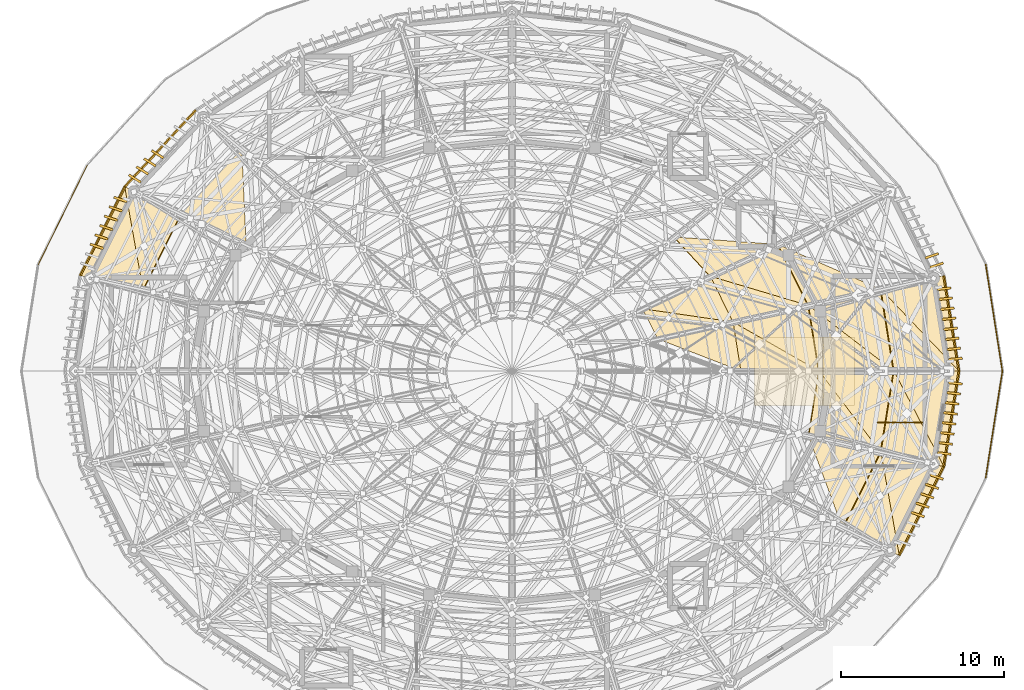
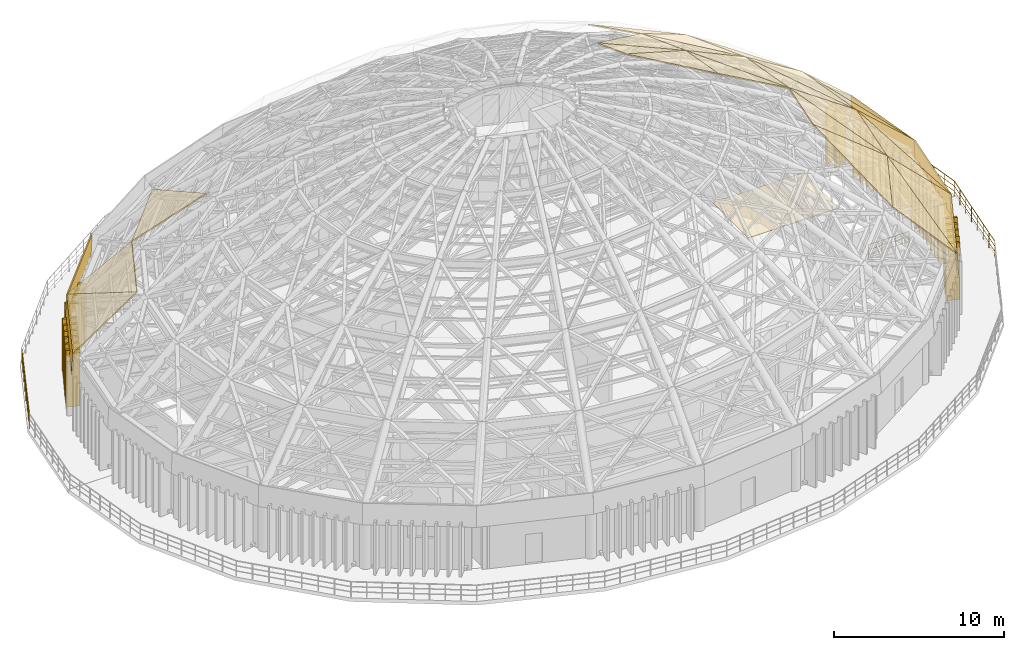
# One storey, part 47 of 50: 33 shading devices, 30 coverings, 4 railings, 5 elements without a shape of their own.
"""IFC4 building model written with IfcOpenShell, lengths in metres."""

import ifcopenshell
import ifcopenshell.guid

model = None  # the IFC model being written
_history = None  # IfcOwnerHistory: only IFC2X3 demands one
_inside = {}  # id of a spatial element -> (the spatial element, [elements in it])
_under = {}  # id of a project, library or spatial element -> (it, [spatial elements below it])
_declared = {}  # id of a project -> (the project, [libraries it declares])
_typed = {}  # id of a type object -> (the type object, [elements of that type])
_made_of = {}  # id of a material, layer set ... -> (it, [elements and type objects made of it])


def new_model(schema):
    """Start an empty IFC model of exactly this schema.

    Asked for "IFC4X3", IfcOpenShell would pick the latest addendum, in which some entities
    have other attributes; the version numbers below select the first issue.
    IFC2X3 requires an IfcOwnerHistory on every rooted entity: one is made here for all.
    """
    global model, _history
    if schema == "IFC4X3":
        model = ifcopenshell.file(schema_version=(4, 3, 0, 0))
    else:
        model = ifcopenshell.file(schema=schema)
    _inside.clear()
    _under.clear()
    _declared.clear()
    _typed.clear()
    _made_of.clear()
    _history = None
    if model.schema == "IFC2X3":
        org = make("IfcOrganization", Name="unknown")
        user = make(
            "IfcPersonAndOrganization",
            ThePerson=make("IfcPerson", FamilyName="unknown"),
            TheOrganization=org,
        )
        app = make(
            "IfcApplication",
            ApplicationDeveloper=org,
            Version="unknown",
            ApplicationFullName="unknown",
            ApplicationIdentifier="unknown",
        )
        _history = make(
            "IfcOwnerHistory",
            OwningUser=user,
            OwningApplication=app,
            ChangeAction="ADDED",
            CreationDate=0,
        )
    return model


def make(cls, **values):
    """One entity of the class cls with the attributes given. An attribute that is None is left unset."""
    return model.create_entity(
        cls, **{name: value for name, value in values.items() if value is not None}
    )


def rooted(cls, **values):
    """An entity with a GlobalId (a new one), such as an element, a storey or a relation."""
    return make(cls, GlobalId=ifcopenshell.guid.new(), OwnerHistory=_history, **values)


def si_unit(unit_type, name, prefix=None):
    """IfcSIUnit, for example si_unit("LENGTHUNIT", "METRE", prefix="MILLI")."""
    return make("IfcSIUnit", UnitType=unit_type, Prefix=prefix, Name=name)


def assignment(units):
    """IfcUnitAssignment: the units of a project."""
    return None if units is None else make("IfcUnitAssignment", Units=units)


def point(xyz):
    """IfcCartesianPoint."""
    return None if xyz is None else make("IfcCartesianPoint", Coordinates=xyz)


def direction(xyz):
    """IfcDirection."""
    return None if xyz is None else make("IfcDirection", DirectionRatios=xyz)


def frame(location, z_axis=None, x_axis=None):
    """IfcAxis2Placement3D, a coordinate frame: its origin and axes. An axis left out is left unset."""
    return make(
        "IfcAxis2Placement3D",
        Location=point(location),
        Axis=direction(z_axis),
        RefDirection=direction(x_axis),
    )


def frame_2d(location, x_axis=None):
    """IfcAxis2Placement2D, a coordinate frame in the plane: its origin and x axis."""
    return make(
        "IfcAxis2Placement2D", Location=point(location), RefDirection=direction(x_axis)
    )


def origin():
    """The frame at (0, 0, 0) with its axes left unset."""
    return frame((0.0, 0.0, 0.0))


def origin_2d():
    """The frame at (0, 0) in the plane with its x axis left unset."""
    return frame_2d((0.0, 0.0))


def place(relative_to, where):
    """IfcLocalPlacement: puts the frame where relative to a parent placement (None: the world)."""
    return make(
        "IfcLocalPlacement", PlacementRelTo=relative_to, RelativePlacement=where
    )


def context(
    kind, dimensions, precision=None, world=None, true_north=None, identifier=None
):
    """IfcGeometricRepresentationContext, for example the 3D "Model" context."""
    return make(
        "IfcGeometricRepresentationContext",
        ContextIdentifier=identifier,
        ContextType=kind,
        CoordinateSpaceDimension=dimensions,
        Precision=precision,
        WorldCoordinateSystem=world,
        TrueNorth=true_north,
    )


def subcontext(parent, identifier, kind, view, scale=None):
    """IfcGeometricRepresentationSubContext, for example "Body" below "Model"."""
    return make(
        "IfcGeometricRepresentationSubContext",
        ContextIdentifier=identifier,
        ContextType=kind,
        ParentContext=parent,
        TargetScale=scale,
        TargetView=view,
    )


def project(units=None, contexts=None):
    """IfcProject with its units and contexts."""
    return rooted(
        "IfcProject",
        Name="project",
        RepresentationContexts=contexts,
        UnitsInContext=assignment(units),
    )


def spatial(cls, under=None, at=None, **own):
    """A site, building, storey or space (cls), placed at a placement, below another one or the project."""
    s = rooted(cls, ObjectPlacement=at, **own)
    if under is not None:
        _under.setdefault(under.id(), (under, []))[1].append(s)
    return s


def polyline(points):
    """IfcPolyline through the points."""
    return make("IfcPolyline", Points=[point(p) for p in points])


def profile(cls, at=None, kind="AREA", **sizes):
    """A parametric profile (cls). Its sizes go by their IFC names, for example OverallWidth=200.0."""
    return make(cls, ProfileType=kind, Position=at, **sizes)


def rectangle(**sizes):
    """IfcRectangleProfileDef."""
    return profile("IfcRectangleProfileDef", **sizes)


def circle(**sizes):
    """IfcCircleProfileDef."""
    return profile("IfcCircleProfileDef", **sizes)


def outline(outer, holes=None, kind="AREA"):
    """IfcArbitraryClosedProfileDef: a profile drawn as a closed curve; with holes, ...WithVoids."""
    if holes is None:
        return make("IfcArbitraryClosedProfileDef", ProfileType=kind, OuterCurve=outer)
    return make(
        "IfcArbitraryProfileDefWithVoids",
        ProfileType=kind,
        OuterCurve=outer,
        InnerCurves=holes,
    )


def extrude(swept, where, along, depth):
    """IfcExtrudedAreaSolid: the profile swept, set in the frame where, extruded along a direction by depth."""
    return make(
        "IfcExtrudedAreaSolid",
        SweptArea=swept,
        Position=where,
        ExtrudedDirection=direction(along),
        Depth=depth,
    )


def shape(context_of_items, identifier, shape_type, items):
    """IfcShapeRepresentation: the items that make up one representation, for example the "Body"."""
    return make(
        "IfcShapeRepresentation",
        ContextOfItems=context_of_items,
        RepresentationIdentifier=identifier,
        RepresentationType=shape_type,
        Items=items,
    )


def material(Name=None, Category=None):
    """IfcMaterial."""
    return make("IfcMaterial", Name=Name, Category=Category)


def layer(
    of_material, thickness, ventilated=None, Name=None, Category=None, Priority=None
):
    """IfcMaterialLayer: one layer of a wall or slab, of a material (None: an air gap)."""
    return make(
        "IfcMaterialLayer",
        Material=of_material,
        LayerThickness=thickness,
        IsVentilated=ventilated,
        Name=Name,
        Category=Category,
        Priority=Priority,
    )


def layer_set(layers, Name=None):
    """IfcMaterialLayerSet."""
    return make("IfcMaterialLayerSet", MaterialLayers=layers, LayerSetName=Name)


def made_of(thing, what):
    """Note that an element or type object is made of a material, layer set ...; save() writes the relation."""
    if what is not None:
        _made_of.setdefault(what.id(), (what, []))[1].append(thing)
    return thing


def type_object(cls, material=None, **own):
    """A type object (cls), such as IfcWallType, which elements share."""
    return made_of(rooted(cls, **own), material)


def element(
    cls,
    number,
    at=None,
    inside=None,
    cuts=None,
    type_object=None,
    material=None,
    context=None,
    identifier="Body",
    shape_type=None,
    held_by="IfcProductDefinitionShape",
    body=None,
    shapes=None,
    **own,
):
    """One element of the class cls, such as IfcWall. Its Tag is "e" and its number.

    at: its placement. inside: the storey or other place that contains it. cuts: it is an
    opening in that element (IfcRelVoidsElement). A single representation is given by context,
    identifier, shape_type and body (its items); several are given by shapes. held_by: the class
    of the entity that holds the representations. save() writes the other relations.
    """
    e = rooted(cls, Tag="e%d" % number, ObjectPlacement=at, **own)
    if body is not None:
        shapes = [shape(context, identifier, shape_type, body)]
    if shapes is not None:
        e.Representation = make(held_by, Representations=shapes)
    if inside is not None:
        _inside.setdefault(inside.id(), (inside, []))[1].append(e)
    if cuts is not None:
        rooted(
            "IfcRelVoidsElement", RelatingBuildingElement=cuts, RelatedOpeningElement=e
        )
    if type_object is not None:
        _typed.setdefault(type_object.id(), (type_object, []))[1].append(e)
    return made_of(e, material)


def aggregate(whole, parts):
    """IfcRelAggregates: a whole, such as a stair, and the parts it consists of."""
    return rooted("IfcRelAggregates", RelatingObject=whole, RelatedObjects=parts)


def save(model, path):
    """Write the relations noted so far, then the file.

    IfcRelAggregates (storeys below a building ...), IfcRelContainedInSpatialStructure (elements
    in a storey), IfcRelDefinesByType, IfcRelAssociatesMaterial and IfcRelDeclares: one each for
    every whole, place, type object, material and project.
    """
    for whole, parts in _under.values():
        aggregate(whole, parts)
    for where, things in _inside.values():
        rooted(
            "IfcRelContainedInSpatialStructure",
            RelatedElements=things,
            RelatingStructure=where,
        )
    for kind, things in _typed.values():
        rooted("IfcRelDefinesByType", RelatedObjects=things, RelatingType=kind)
    for what, things in _made_of.values():
        rooted("IfcRelAssociatesMaterial", RelatedObjects=things, RelatingMaterial=what)
    for by, libraries in _declared.values():
        rooted("IfcRelDeclares", RelatingContext=by, RelatedDefinitions=libraries)
    model.write(path)


model = new_model("IFC4")

# Units and contexts
model_context = context("Model", 3, precision=1e-05, world=origin(), true_north=direction((0.0, 1.0)))
body_context = subcontext(model_context, "Body", "Model", "MODEL_VIEW")
ifc_project = project(units=[si_unit("LENGTHUNIT", "METRE"), si_unit("AREAUNIT", "SQUARE_METRE"), si_unit("VOLUMEUNIT", "CUBIC_METRE"), si_unit("PLANEANGLEUNIT", "RADIAN"), si_unit("MASSUNIT", "GRAM", prefix="KILO")], contexts=[model_context])

# Site, building, storey
site_placement = place(None, origin())
site = spatial("IfcSite", under=ifc_project, at=site_placement, CompositionType="ELEMENT")
building_placement = place(site_placement, origin())
building = spatial("IfcBuilding", under=site, at=building_placement, Name="Cinderbank Siding Concert Hall", CompositionType="ELEMENT")
storey_placement = place(building_placement, frame((0.0, 0.0, 23.699951171875)))
storey = spatial("IfcBuildingStorey", under=building, at=storey_placement, Name="L06", CompositionType="ELEMENT", Elevation=23.699951171875)

# Coverings
ifc_material_1 = material(Name="Spotted gum glulam timber GL18 (42 MPa)", Category="wood")
ifc_layer_1 = layer(ifc_material_1, 0.044921875)
ifc_layer_set_1 = layer_set([ifc_layer_1], Name="Spotted gum glulam timber GL18 (42 MPa)")
covering_type_1 = type_object("IfcCoveringType", Name="CLG-01 Perforated Timber Acoustic Ceiling", PredefinedType="CEILING", material=ifc_layer_set_1)
for number, where, z_axis, x_axis, name in (
    (1, (140.93212890625, 44.0, 3.5595703125), (0.0, 0.0, 1.0), (1.0, 0.0, 0.0), "Main Hall Timber Acoustic Reflector #1"),
    (2, (138.97412109375, 44.0, 3.5595703125), (0.0, 0.0, 1.0), (1.0, 0.0, 0.0), "Main Hall Timber Acoustic Reflector #2"),
):
    element("IfcCovering", number, at=place(storey_placement, frame(where, z_axis=z_axis, x_axis=x_axis)), inside=storey, type_object=covering_type_1, Name=name, PredefinedType="CEILING", context=body_context, shape_type="SweptSolid", body=[
        extrude(rectangle(XDim=4.199951171875, YDim=4.199951171875, at=origin_2d()), origin(), (0.0, 0.0, 1.0), 0.044921875),
    ])

# Railings
ifc_material_2 = material(Name="Structural steel AS/NZS 3679.1 Grade 350 (340 MPa)", Category="steel")
railing_type_1 = type_object("IfcRailingType", Name="GD-01 Terrace & Perimeter Guardrail 1120mm", PredefinedType="GUARDRAIL", material=ifc_material_2)
railing_1_placement = place(storey_placement, frame((92.92529296875, 50.54345703125, 0.0)))
element("IfcRailing", 3, at=railing_1_placement, inside=storey, type_object=railing_type_1, Name="L06 Perimeter Guardrail #140", PredefinedType="GUARDRAIL", context=body_context, shape_type="SweptSolid", body=[
    extrude(circle(Radius=0.02392578125, at=origin_2d()), frame((0.0, 0.0, 1.09619140625), z_axis=(0.441833864592, 0.897096893373, 0.0), x_axis=(-0.897096893373, 0.441833864592, 0.0)), (0.0, 0.0, 1.0), 6.79931640625),
    extrude(circle(Radius=0.01611328125, at=origin_2d()), frame((0.0, 0.0, 0.36962890625), z_axis=(0.441833864592, 0.897096893373, 0.0), x_axis=(-0.897096893373, 0.441833864592, 0.0)), (0.0, 0.0, 1.0), 6.79931640625),
    extrude(circle(Radius=0.01611328125, at=origin_2d()), frame((0.0, 0.0, 0.7392578125), z_axis=(0.441833864592, 0.897096893373, 0.0), x_axis=(-0.897096893373, 0.441833864592, 0.0)), (0.0, 0.0, 1.0), 6.79931640625),
    extrude(circle(Radius=0.02099609375, at=origin_2d()), origin(), (0.0, 0.0, 1.0), 1.072021484375),
    extrude(circle(Radius=0.02099609375, at=origin_2d()), frame((0.42919921875, 0.871337890625, 0.0)), (0.0, 0.0, 1.0), 1.072021484375),
    extrude(circle(Radius=0.02099609375, at=origin_2d()), frame((0.8583984375, 1.74267578125, 0.0)), (0.0, 0.0, 1.0), 1.072021484375),
    extrude(circle(Radius=0.02099609375, at=origin_2d()), frame((1.28759765625, 2.614013671875, 0.0)), (0.0, 0.0, 1.0), 1.072021484375),
    extrude(circle(Radius=0.02099609375, at=origin_2d()), frame((1.716552734375, 3.485595703125, 0.0)), (0.0, 0.0, 1.0), 1.072021484375),
    extrude(circle(Radius=0.02099609375, at=origin_2d()), frame((2.145751953125, 4.35693359375, 0.0)), (0.0, 0.0, 1.0), 1.072021484375),
    extrude(circle(Radius=0.02099609375, at=origin_2d()), frame((2.574951171875, 5.228271484375, 0.0)), (0.0, 0.0, 1.0), 1.072021484375),
    extrude(circle(Radius=0.02099609375, at=origin_2d()), frame((3.004150390625, 6.099609375, 0.0)), (0.0, 0.0, 1.0), 1.072021484375),
])
railing_2_placement = place(storey_placement, frame((151.07470703125, 50.54345703125, 0.0)))
element("IfcRailing", 4, at=railing_2_placement, inside=storey, type_object=railing_type_1, Name="L06 Perimeter Guardrail #150", PredefinedType="GUARDRAIL", context=body_context, shape_type="SweptSolid", body=[
    extrude(circle(Radius=0.02392578125, at=origin_2d()), frame((0.0, 0.0, 1.09619140625), z_axis=(0.154635505389, -0.9879715889, 0.0), x_axis=(0.9879715889, 0.154635505389, 0.0)), (0.0, 0.0, 1.0), 6.623046875),
    extrude(circle(Radius=0.01611328125, at=origin_2d()), frame((0.0, 0.0, 0.36962890625), z_axis=(0.154635505389, -0.9879715889, 0.0), x_axis=(0.9879715889, 0.154635505389, 0.0)), (0.0, 0.0, 1.0), 6.623046875),
    extrude(circle(Radius=0.01611328125, at=origin_2d()), frame((0.0, 0.0, 0.7392578125), z_axis=(0.154635505389, -0.9879715889, 0.0), x_axis=(0.9879715889, 0.154635505389, 0.0)), (0.0, 0.0, 1.0), 6.623046875),
    extrude(circle(Radius=0.02099609375, at=origin_2d()), origin(), (0.0, 0.0, 1.0), 1.072021484375),
    extrude(circle(Radius=0.02099609375, at=origin_2d()), frame((0.146240234375, -0.934814453125, 0.0)), (0.0, 0.0, 1.0), 1.072021484375),
    extrude(circle(Radius=0.02099609375, at=origin_2d()), frame((0.292724609375, -1.86962890625, 0.0)), (0.0, 0.0, 1.0), 1.072021484375),
    extrude(circle(Radius=0.02099609375, at=origin_2d()), frame((0.43896484375, -2.804443359375, 0.0)), (0.0, 0.0, 1.0), 1.072021484375),
    extrude(circle(Radius=0.02099609375, at=origin_2d()), frame((0.585205078125, -3.739013671875, 0.0)), (0.0, 0.0, 1.0), 1.072021484375),
    extrude(circle(Radius=0.02099609375, at=origin_2d()), frame((0.7314453125, -4.673828125, 0.0)), (0.0, 0.0, 1.0), 1.072021484375),
    extrude(circle(Radius=0.02099609375, at=origin_2d()), frame((0.8779296875, -5.608642578125, 0.0)), (0.0, 0.0, 1.0), 1.072021484375),
    extrude(circle(Radius=0.02099609375, at=origin_2d()), frame((1.024169921875, -6.54345703125, 0.0)), (0.0, 0.0, 1.0), 1.072021484375),
])
railing_3_placement = place(storey_placement, frame((152.098876953125, 44.0, 0.0)))
element("IfcRailing", 5, at=railing_3_placement, inside=storey, type_object=railing_type_1, Name="L06 Perimeter Guardrail #151", PredefinedType="GUARDRAIL", context=body_context, shape_type="SweptSolid", body=[
    extrude(circle(Radius=0.02392578125, at=origin_2d()), frame((0.0, 0.0, 1.09619140625), z_axis=(-0.154635505389, -0.9879715889, 0.0), x_axis=(0.9879715889, -0.154635505389, 0.0)), (0.0, 0.0, 1.0), 6.623046875),
    extrude(circle(Radius=0.01611328125, at=origin_2d()), frame((0.0, 0.0, 0.36962890625), z_axis=(-0.154635505389, -0.9879715889, 0.0), x_axis=(0.9879715889, -0.154635505389, 0.0)), (0.0, 0.0, 1.0), 6.623046875),
    extrude(circle(Radius=0.01611328125, at=origin_2d()), frame((0.0, 0.0, 0.7392578125), z_axis=(-0.154635505389, -0.9879715889, 0.0), x_axis=(0.9879715889, -0.154635505389, 0.0)), (0.0, 0.0, 1.0), 6.623046875),
    extrude(circle(Radius=0.02099609375, at=origin_2d()), origin(), (0.0, 0.0, 1.0), 1.072021484375),
    extrude(circle(Radius=0.02099609375, at=origin_2d()), frame((-0.146240234375, -0.934814453125, 0.0)), (0.0, 0.0, 1.0), 1.072021484375),
    extrude(circle(Radius=0.02099609375, at=origin_2d()), frame((-0.292724609375, -1.86962890625, 0.0)), (0.0, 0.0, 1.0), 1.072021484375),
    extrude(circle(Radius=0.02099609375, at=origin_2d()), frame((-0.43896484375, -2.804443359375, 0.0)), (0.0, 0.0, 1.0), 1.072021484375),
    extrude(circle(Radius=0.02099609375, at=origin_2d()), frame((-0.585205078125, -3.739013671875, 0.0)), (0.0, 0.0, 1.0), 1.072021484375),
    extrude(circle(Radius=0.02099609375, at=origin_2d()), frame((-0.7314453125, -4.673828125, 0.0)), (0.0, 0.0, 1.0), 1.072021484375),
    extrude(circle(Radius=0.02099609375, at=origin_2d()), frame((-0.8779296875, -5.608642578125, 0.0)), (0.0, 0.0, 1.0), 1.072021484375),
    extrude(circle(Radius=0.02099609375, at=origin_2d()), frame((-1.024169921875, -6.54345703125, 0.0)), (0.0, 0.0, 1.0), 1.072021484375),
])

# Shading devices
ifc_material_3 = material(Name="Glazed architectural terracotta acoustic louvre unit", Category="masonry")
shading_device_type = type_object("IfcShadingDeviceType", Name="LV-02 Terracotta Louvre Blade 850x4050", PredefinedType="JALOUSIE", material=ifc_material_3)
for number, where, z_axis, x_axis, name in (
    (6, (149.2158203125, 44.749755859375, -0.27490234375), (0.0, 0.0, 1.0), (0.994210818271, 0.107446958234, 0.0), "L06 Terracotta Louvre Blade #194"),
    (7, (149.1171875, 45.365234375, -0.27490234375), (0.0, 0.0, 1.0), (0.994210818271, 0.107446958234, 0.0), "L06 Terracotta Louvre Blade #195"),
    (8, (149.018310546875, 45.980712890625, -0.27490234375), (0.0, 0.0, 1.0), (0.994210818271, 0.107446958234, 0.0), "L06 Terracotta Louvre Blade #196"),
    (9, (148.919677734375, 46.59619140625, -0.27490234375), (0.0, 0.0, 1.0), (0.994210818271, 0.107446958234, 0.0), "L06 Terracotta Louvre Blade #197"),
    (10, (148.821044921875, 47.211669921875, -0.27490234375), (0.0, 0.0, 1.0), (0.994210818271, 0.107446958234, 0.0), "L06 Terracotta Louvre Blade #198"),
    (11, (148.722412109375, 47.8271484375, -0.27490234375), (0.0, 0.0, 1.0), (0.994210818271, 0.107446958234, 0.0), "L06 Terracotta Louvre Blade #199"),
    (12, (148.62353515625, 48.442626953125, -0.27490234375), (0.0, 0.0, 1.0), (0.994210818271, 0.107446958234, 0.0), "L06 Terracotta Louvre Blade #200"),
    (13, (148.52490234375, 49.05810546875, -0.27490234375), (0.0, 0.0, 1.0), (0.994210818271, 0.107446958234, 0.0), "L06 Terracotta Louvre Blade #201"),
    (14, (148.0673828125, 50.5009765625, -0.27490234375), (0.0, 0.0, 1.0), (0.946765351164, 0.321924478466, 0.0), "L06 Terracotta Louvre Blade #202"),
    (15, (147.77685546875, 51.0771484375, -0.27490234375), (0.0, 0.0, 1.0), (0.946765351164, 0.321924478466, 0.0), "L06 Terracotta Louvre Blade #203"),
    (16, (100.23876953125, 57.3115234375, -0.27490234375), (0.0, 0.0, 1.0), (-0.846132246596, 0.532973002384, 0.0), "L06 Terracotta Louvre Blade #254"),
    (17, (99.77294921875, 56.813232421875, -0.27490234375), (0.0, 0.0, 1.0), (-0.846132246596, 0.532973002384, 0.0), "L06 Terracotta Louvre Blade #255"),
    (18, (99.30712890625, 56.31494140625, -0.27490234375), (0.0, 0.0, 1.0), (-0.846132246596, 0.532973002384, 0.0), "L06 Terracotta Louvre Blade #256"),
    (19, (98.84130859375, 55.81640625, -0.27490234375), (0.0, 0.0, 1.0), (-0.846132246596, 0.532973002384, 0.0), "L06 Terracotta Louvre Blade #257"),
    (20, (97.9677734375, 54.5341796875, -0.27490234375), (0.0, 0.0, 1.0), (-0.946765351164, 0.321924478466, 0.0), "L06 Terracotta Louvre Blade #258"),
    (21, (97.677001953125, 53.9580078125, -0.27490234375), (0.0, 0.0, 1.0), (-0.946765351164, 0.321924478466, 0.0), "L06 Terracotta Louvre Blade #259"),
    (22, (97.38623046875, 53.3818359375, -0.27490234375), (0.0, 0.0, 1.0), (-0.946765351164, 0.321924478466, 0.0), "L06 Terracotta Louvre Blade #260"),
    (23, (97.095458984375, 52.8056640625, -0.27490234375), (0.0, 0.0, 1.0), (-0.946765351164, 0.321924478466, 0.0), "L06 Terracotta Louvre Blade #261"),
    (24, (96.8046875, 52.2294921875, -0.27490234375), (0.0, 0.0, 1.0), (-0.946765351164, 0.321924478466, 0.0), "L06 Terracotta Louvre Blade #262"),
    (25, (96.513916015625, 51.6533203125, -0.27490234375), (0.0, 0.0, 1.0), (-0.946765351164, 0.321924478466, 0.0), "L06 Terracotta Louvre Blade #263"),
    (26, (146.904541015625, 35.1943359375, -0.27490234375), (0.0, 0.0, 1.0), (0.946765351164, -0.321924478466, 0.0), "L06 Terracotta Louvre Blade #333"),
    (27, (147.1953125, 35.7705078125, -0.27490234375), (0.0, 0.0, 1.0), (0.946765351164, -0.321924478466, 0.0), "L06 Terracotta Louvre Blade #334"),
    (28, (147.486083984375, 36.3466796875, -0.27490234375), (0.0, 0.0, 1.0), (0.946765351164, -0.321924478466, 0.0), "L06 Terracotta Louvre Blade #335"),
    (29, (147.77685546875, 36.9228515625, -0.27490234375), (0.0, 0.0, 1.0), (0.946765351164, -0.321924478466, 0.0), "L06 Terracotta Louvre Blade #336"),
    (30, (148.0673828125, 37.4990234375, -0.27490234375), (0.0, 0.0, 1.0), (0.946765351164, -0.321924478466, 0.0), "L06 Terracotta Louvre Blade #337"),
    (31, (148.52490234375, 38.94189453125, -0.27490234375), (0.0, 0.0, 1.0), (0.994210818271, -0.107446958234, 0.0), "L06 Terracotta Louvre Blade #338"),
    (32, (148.62353515625, 39.557373046875, -0.27490234375), (0.0, 0.0, 1.0), (0.994210818271, -0.107446958234, 0.0), "L06 Terracotta Louvre Blade #339"),
    (33, (148.722412109375, 40.1728515625, -0.27490234375), (0.0, 0.0, 1.0), (0.994210818271, -0.107446958234, 0.0), "L06 Terracotta Louvre Blade #340"),
    (34, (148.821044921875, 40.788330078125, -0.27490234375), (0.0, 0.0, 1.0), (0.994210818271, -0.107446958234, 0.0), "L06 Terracotta Louvre Blade #341"),
    (35, (148.919677734375, 41.40380859375, -0.27490234375), (0.0, 0.0, 1.0), (0.994210818271, -0.107446958234, 0.0), "L06 Terracotta Louvre Blade #342"),
    (36, (149.018310546875, 42.019287109375, -0.27490234375), (0.0, 0.0, 1.0), (0.994210818271, -0.107446958234, 0.0), "L06 Terracotta Louvre Blade #343"),
    (37, (149.1171875, 42.634765625, -0.27490234375), (0.0, 0.0, 1.0), (0.994210818271, -0.107446958234, 0.0), "L06 Terracotta Louvre Blade #344"),
    (38, (149.2158203125, 43.250244140625, -0.27490234375), (0.0, 0.0, 1.0), (0.994210818271, -0.107446958234, 0.0), "L06 Terracotta Louvre Blade #345"),
):
    element("IfcShadingDevice", number, at=place(storey_placement, frame(where, z_axis=z_axis, x_axis=x_axis)), inside=storey, type_object=shading_device_type, Name=name, PredefinedType="JALOUSIE", context=body_context, shape_type="SweptSolid", body=[
        extrude(rectangle(XDim=0.85009765625, YDim=0.139892578125, at=origin_2d()), origin(), (0.0, 0.0, 1.0), 4.090087890625),
    ])

# Roof, coverings
ifc_material_4 = material(Name="Patinated sheet copper roofing", Category="metal")
roof_type = type_object("IfcRoofType", Name="RF-DM1 Schwedler Dome Sector Roof", PredefinedType="DOME_ROOF", material=ifc_material_4)
roof_1_placement = place(storey_placement, origin())
roof_1 = element("IfcRoof", 39, at=roof_1_placement, inside=storey, type_object=roof_type, Name="Schwedler Dome Roof Bay 01", PredefinedType="DOME_ROOF")
ifc_layer_2 = layer(ifc_material_4, 0.080078125)
ifc_layer_set_2 = layer_set([ifc_layer_2], Name="Patinated sheet copper roofing")
covering_type_2 = type_object("IfcCoveringType", Name="RC-01 Standing Seam Copper Roofing", PredefinedType="ROOFING", material=ifc_layer_set_2)
covering_1_placement = place(storey_placement, frame((149.52001953125, 44.0, 3.449951171875), z_axis=(0.986476648365, 0.157303033118, 0.0460388749), x_axis=(-0.157470028612, 0.987523766847, 4.83129e-07)))
covering_1 = element("IfcCovering", 40, at=covering_1_placement, type_object=covering_type_2, Name="Dome Springing Copper Fascia B01-0", PredefinedType="ROOFING", context=body_context, shape_type="SweptSolid", body=[
    extrude(outline(polyline([(0.0, 0.0), (5.954672809616187, 0.0), (5.947887046676837, 1.5015893384198757), (0.011034391249215016, 1.5015950896598318), (0.0, 0.0)])), origin(), (0.0, 0.0, -1.0), 0.080078125),
])
covering_2_placement = place(storey_placement, frame((149.449951171875, 44.0, 4.949951171875), z_axis=(0.665191122167, 0.106128068841, 0.739092419116), x_axis=(-0.157552602601, 0.987510596102, 0.0)))
covering_2 = element("IfcCovering", 41, at=covering_2_placement, type_object=covering_type_2, Name="Dome Copper Facet B01-0-0-0", PredefinedType="ROOFING", context=body_context, shape_type="SweptSolid", body=[
    extrude(outline(polyline([(0.0, 0.0), (5.936447376505061, 0.0), (5.70161532401733, 5.344531013837111), (0.0, 0.0)])), origin(), (0.0, 0.0, -1.0), 0.080078125),
])
covering_3_placement = place(storey_placement, frame((149.449951171875, 44.0, 4.949951171875), z_axis=(0.665196069433, 0.106136924646, 0.739086694805), x_axis=(-0.614093771921, 0.640835607845, 0.460671860444)))
covering_3 = element("IfcCovering", 42, at=covering_3_placement, type_object=covering_type_2, Name="Dome Copper Facet B01-0-0-1", PredefinedType="ROOFING", context=body_context, shape_type="SweptSolid", body=[
    extrude(outline(polyline([(0.0, 0.0), (7.814885095824249, 2.220446049250313e-16), (4.114838772769581, 3.468256767981412), (0.0, 0.0)])), origin(), (0.0, 0.0, -1.0), 0.080078125),
])
covering_4_placement = place(storey_placement, frame((145.449951171875, 44.0, 8.550048828125), z_axis=(0.568700786595, 0.090740392655, 0.817524064763), x_axis=(-0.157564280349, 0.987508732902, 0.0)))
covering_4 = element("IfcCovering", 43, at=covering_4_placement, type_object=covering_type_2, Name="Dome Copper Facet B01-0-1-0", PredefinedType="ROOFING", context=body_context, shape_type="SweptSolid", body=[
    extrude(outline(polyline([(0.0, 0.0), (5.071404913966074, 0.0), (4.800366623422205, 5.556489109163799), (0.0, 0.0)])), origin(), (0.0, 0.0, -1.0), 0.080078125),
])
covering_5_placement = place(storey_placement, frame((145.449951171875, 44.0, 8.550048828125), z_axis=(0.568713606568, 0.090766484615, 0.817512250046), x_axis=(-0.713913011124, 0.548102458475, 0.435788833681)))
covering_5 = element("IfcCovering", 44, at=covering_5_placement, type_object=covering_type_2, Name="Dome Copper Facet B01-0-1-1", PredefinedType="ROOFING", context=body_context, shape_type="SweptSolid", body=[
    extrude(outline(polyline([(0.0, 0.0), (7.342893907685292, 4.440892098500626e-16), (4.678398263097572, 3.0839795004891783), (0.0, 0.0)])), origin(), (0.0, 0.0, -1.0), 0.080078125),
])
covering_6_placement = place(storey_placement, frame((140.85009765625, 44.0, 11.75), z_axis=(0.488945687952, 0.078035553837, 0.868816762367), x_axis=(-0.157604997343, 0.987502235346, 0.0)))
covering_6 = element("IfcCovering", 45, at=covering_6_placement, type_object=covering_type_2, Name="Dome Copper Facet B01-0-2-0", PredefinedType="ROOFING", context=body_context, shape_type="SweptSolid", body=[
    extrude(outline(polyline([(0.0, 0.0), (4.075594017988595, -1.1102230246251565e-16), (3.809420864028872, 5.452973373620496), (0.0, 0.0)])), origin(), (0.0, 0.0, -1.0), 0.080078125),
])
covering_7_placement = place(storey_placement, frame((140.85009765625, 44.0, 11.75), z_axis=(0.488772024303, 0.077609873657, 0.868952596964), x_axis=(-0.793589537986, 0.45328049182, 0.405897081703)))
covering_7 = element("IfcCovering", 46, at=covering_7_placement, type_object=covering_type_2, Name="Dome Copper Facet B01-0-2-1", PredefinedType="ROOFING", context=body_context, shape_type="SweptSolid", body=[
    extrude(outline(polyline([(0.0, 0.0), (6.651812229213372, -6.661338147750939e-16), (4.905170833226242, 2.5038977973870966), (0.0, 0.0)])), origin(), (0.0, 0.0, -1.0), 0.080078125),
])
covering_8_placement = place(storey_placement, frame((136.050048828125, 44.0, 14.449951171875), z_axis=(0.383842951321, 0.060948666198, 0.921384745266), x_axis=(-0.156820785113, 0.987627076055, 0.0)))
covering_8 = element("IfcCovering", 47, at=covering_8_placement, type_object=covering_type_2, Name="Dome Copper Facet B01-0-3-0", PredefinedType="ROOFING", context=body_context, shape_type="SweptSolid", body=[
    extrude(outline(polyline([(0.0, 0.0), (3.0529101437703376, 5.551115123125783e-17), (2.7576573917208735, 5.145995635219714), (0.0, 0.0)])), origin(), (0.0, 0.0, -1.0), 0.080078125),
])
covering_9_placement = place(storey_placement, frame((144.65087890625, 49.008056640625, 8.550048828125), z_axis=(0.524693195631, 0.263456716223, 0.809498368828), x_axis=(-0.831272296922, 0.363569347832, 0.420480317836)))
covering_9 = element("IfcCovering", 48, at=covering_9_placement, type_object=covering_type_2, Name="Dome Copper Facet B01-1-1-1", PredefinedType="ROOFING", context=body_context, shape_type="SweptSolid", body=[
    extrude(outline(polyline([(0.0, 0.0), (7.610228198899589, -2.220446049250313e-16), (4.681421563595967, 3.005382690955601), (0.0, 0.0)])), origin(), (0.0, 0.0, -1.0), 0.080078125),
])
covering_10_placement = place(storey_placement, frame((140.207763671875, 48.024658203125, 11.75), z_axis=(0.453105188419, 0.227511250457, 0.861936377666), x_axis=(-0.448725579477, 0.893669600201, 0.0)))
covering_10 = element("IfcCovering", 49, at=covering_10_placement, type_object=covering_type_2, Name="Dome Copper Facet B01-1-2-0", PredefinedType="ROOFING", context=body_context, shape_type="SweptSolid", body=[
    extrude(outline(polyline([(0.0, 0.0), (4.196454864060145, 0.0), (4.319187126011781, 5.325174696745625), (0.0, 0.0)])), origin(), (0.0, 0.0, -1.0), 0.080078125),
])
covering_11_placement = place(storey_placement, frame((140.207763671875, 48.024658203125, 11.75), z_axis=(0.452919962485, 0.226243536739, 0.862367305541), x_axis=(-0.880909710869, 0.262563791752, 0.393774474232)))
covering_11 = element("IfcCovering", 50, at=covering_11_placement, type_object=covering_type_2, Name="Dome Copper Facet B01-1-2-1", PredefinedType="ROOFING", context=body_context, shape_type="SweptSolid", body=[
    extrude(outline(polyline([(0.0, 0.0), (6.856592665483765, -1.1102230246251565e-16), (4.882423571962226, 2.4428890325290196), (0.0, 0.0)])), origin(), (0.0, 0.0, -1.0), 0.080078125),
])
covering_12_placement = place(storey_placement, frame((135.5712890625, 47.01513671875, 14.449951171875), z_axis=(0.355881462825, 0.177770660334, 0.91746715295), x_axis=(-0.446871549443, 0.894598132291, 0.0)))
covering_12 = element("IfcCovering", 51, at=covering_12_placement, type_object=covering_type_2, Name="Dome Copper Facet B01-1-3-0", PredefinedType="ROOFING", context=body_context, shape_type="SweptSolid", body=[
    extrude(outline(polyline([(0.0, 0.0), (3.1408677837607595, 0.0), (3.2093086950498786, 5.027506210581908), (0.0, 0.0)])), origin(), (0.0, 0.0, -1.0), 0.080078125),
])
covering_13_placement = place(storey_placement, frame((135.5712890625, 47.01513671875, 14.449951171875), z_axis=(0.355914248296, 0.178263256557, 0.917358849754), x_axis=(-0.932270873207, 0.13577197429, 0.335316253658)))
covering_13 = element("IfcCovering", 52, at=covering_13_placement, type_object=covering_type_2, Name="Dome Copper Facet B01-1-3-1", PredefinedType="ROOFING", context=body_context, shape_type="SweptSolid", body=[
    extrude(outline(polyline([(0.0, 0.0), (5.964518505090114, -5.551115123125783e-17), (4.852537532239084, 1.738195835774598), (0.0, 0.0)])), origin(), (0.0, 0.0, -1.0), 0.080078125),
])
aggregate(roof_1, [covering_1, covering_2, covering_3, covering_4, covering_5, covering_6, covering_7, covering_8, covering_9, covering_10, covering_11, covering_12, covering_13])

# Roof, covering
roof_2_placement = place(storey_placement, origin())
roof_2 = element("IfcRoof", 53, at=roof_2_placement, inside=storey, type_object=roof_type, Name="Schwedler Dome Roof Bay 02", PredefinedType="DOME_ROOF")
covering_14_placement = place(storey_placement, frame((138.32470703125, 51.77490234375, 11.75), z_axis=(0.385422224455, 0.356680326305, 0.851016365132), x_axis=(-0.919102406533, 0.066580757375, 0.388352634923)))
covering_14 = element("IfcCovering", 54, at=covering_14_placement, type_object=covering_type_2, Name="Dome Copper Facet B02-0-2-1", PredefinedType="ROOFING", context=body_context, shape_type="SweptSolid", body=[
    extrude(outline(polyline([(0.0, 0.0), (6.9523184062008445, 0.0), (4.739396473755773, 2.4311869166180857), (0.0, 0.0)])), origin(), (0.0, 0.0, -1.0), 0.080078125),
])
aggregate(roof_2, [covering_14])

# Roof, coverings
roof_3_placement = place(storey_placement, origin())
roof_3 = element("IfcRoof", 55, at=roof_3_placement, inside=storey, type_object=roof_type, Name="Schwedler Dome Roof Bay 05", PredefinedType="DOME_ROOF")
covering_15_placement = place(storey_placement, frame((102.540283203125, 60.0654296875, 3.449951171875), z_axis=(-0.731684709213, 0.68005292688, 0.046534964775), x_axis=(-0.680790453732, -0.732478230466, -1.439e-08)))
covering_15 = element("IfcCovering", 56, at=covering_15_placement, type_object=covering_type_2, Name="Dome Springing Copper Fascia B05-1", PredefinedType="ROOFING", context=body_context, shape_type="SweptSolid", body=[
    extrude(outline(polyline([(0.0, 0.0), (6.423840901729181, 0.0), (6.407221492268987, 1.5016268620671551), (0.0023828252039628677, 1.501626677264381), (0.0, 0.0)])), origin(), (0.0, 0.0, -1.0), 0.080078125),
])
covering_16_placement = place(storey_placement, frame((105.418212890625, 57.6826171875, 8.550048828125), z_axis=(-0.443061252893, 0.411994332267, 0.796214416075), x_axis=(-0.680965992364, -0.732315039613, 0.0)))
covering_16 = element("IfcCovering", 57, at=covering_16_placement, type_object=covering_type_2, Name="Dome Copper Facet B05-1-1-0", PredefinedType="ROOFING", context=body_context, shape_type="SweptSolid", body=[
    extrude(outline(polyline([(0.0, 0.0), (5.472464912767361, 0.0), (4.151245639306773, 5.2890483062790725), (0.0, 0.0)])), origin(), (0.0, 0.0, -1.0), 0.080078125),
])
aggregate(roof_3, [covering_15, covering_16])

roof_4_placement = place(storey_placement, origin())
roof_4 = element("IfcRoof", 58, at=roof_4_placement, inside=storey, type_object=roof_type, Name="Schwedler Dome Roof Bay 06", PredefinedType="DOME_ROOF")
covering_17_placement = place(storey_placement, frame((98.1669921875, 55.360107421875, 3.449951171875), z_axis=(-0.892844069173, 0.447955857114, 0.046529756285), x_axis=(-0.4484415582, -0.893812155254, 9.663e-08)))
covering_17 = element("IfcCovering", 59, at=covering_17_placement, type_object=covering_type_2, Name="Dome Springing Copper Fascia B06-0", PredefinedType="ROOFING", context=body_context, shape_type="SweptSolid", body=[
    extrude(outline(polyline([(0.0, 0.0), (6.130740774306157, 2.7755575615628914e-17), (6.116451174228412, 1.5016258133659188), (0.004271493558985009, 1.5016269976818484), (0.0, 0.0)])), origin(), (0.0, 0.0, -1.0), 0.080078125),
])
covering_18_placement = place(storey_placement, frame((98.2275390625, 55.324951171875, 4.949951171875), z_axis=(-0.611566240877, 0.306999419778, 0.729203736466), x_axis=(-0.448634985963, -0.893715082881, 0.0)))
covering_18 = element("IfcCovering", 60, at=covering_18_placement, type_object=covering_type_2, Name="Dome Copper Facet B06-0-0-0", PredefinedType="ROOFING", context=body_context, shape_type="SweptSolid", body=[
    extrude(outline(polyline([(0.0, 0.0), (6.112290806106234, 0.0), (5.142322980703387, 5.261018938231034), (0.0, 0.0)])), origin(), (0.0, 0.0, -1.0), 0.080078125),
])
covering_19_placement = place(storey_placement, frame((98.2275390625, 55.324951171875, 4.949951171875), z_axis=(-0.611597854032, 0.30698270608, 0.729184258683), x_axis=(0.152456134167, -0.858652593693, 0.489359633091)))
covering_19 = element("IfcCovering", 61, at=covering_19_placement, type_object=covering_type_2, Name="Dome Copper Facet B06-0-0-1", PredefinedType="ROOFING", context=body_context, shape_type="SweptSolid", body=[
    extrude(outline(polyline([(0.0, 0.0), (7.356752402133415, 0.0), (3.7065604163645114, 3.7342145160571834), (0.0, 0.0)])), origin(), (0.0, 0.0, -1.0), 0.080078125),
])
aggregate(roof_4, [covering_17, covering_18, covering_19])

roof_5_placement = place(storey_placement, origin())
roof_5 = element("IfcRoof", 62, at=roof_5_placement, inside=storey, type_object=roof_type, Name="Schwedler Dome Roof Bay 12", PredefinedType="DOME_ROOF")
covering_20_placement = place(storey_placement, frame((145.8330078125, 32.639892578125, 3.449951171875), z_axis=(0.892844069173, -0.447955857114, 0.046529756285), x_axis=(0.4484415582, 0.893812155254, 9.663e-08)))
covering_20 = element("IfcCovering", 63, at=covering_20_placement, type_object=covering_type_2, Name="Dome Springing Copper Fascia B12-0", PredefinedType="ROOFING", context=body_context, shape_type="SweptSolid", body=[
    extrude(outline(polyline([(0.0, 0.0), (6.130740774306157, 2.7755575615628914e-17), (6.116451174228412, 1.5016258133659188), (0.004271493558985009, 1.5016269976818484), (0.0, 0.0)])), origin(), (0.0, 0.0, -1.0), 0.080078125),
])
covering_21_placement = place(storey_placement, frame((145.7724609375, 32.675048828125, 4.949951171875), z_axis=(0.611566240877, -0.306999419778, 0.729203736466), x_axis=(0.448634985963, 0.893715082881, 0.0)))
covering_21 = element("IfcCovering", 64, at=covering_21_placement, type_object=covering_type_2, Name="Dome Copper Facet B12-0-0-0", PredefinedType="ROOFING", context=body_context, shape_type="SweptSolid", body=[
    extrude(outline(polyline([(0.0, 0.0), (6.112290806106234, 0.0), (5.142322980703387, 5.261018938231034), (0.0, 0.0)])), origin(), (0.0, 0.0, -1.0), 0.080078125),
])
covering_22_placement = place(storey_placement, frame((145.7724609375, 32.675048828125, 4.949951171875), z_axis=(0.611597854032, -0.30698270608, 0.729184258683), x_axis=(-0.152456134167, 0.858652593693, 0.489359633091)))
covering_22 = element("IfcCovering", 65, at=covering_22_placement, type_object=covering_type_2, Name="Dome Copper Facet B12-0-0-1", PredefinedType="ROOFING", context=body_context, shape_type="SweptSolid", body=[
    extrude(outline(polyline([(0.0, 0.0), (7.356752402133415, 0.0), (3.7065604163645114, 3.7342145160571834), (0.0, 0.0)])), origin(), (0.0, 0.0, -1.0), 0.080078125),
])
covering_23_placement = place(storey_placement, frame((142.308349609375, 34.324951171875, 8.550048828125), z_axis=(0.524718605864, -0.263374922749, 0.809508514302), x_axis=(0.448596954918, 0.893734173028, 0.0)))
covering_23 = element("IfcCovering", 66, at=covering_23_placement, type_object=covering_type_2, Name="Dome Copper Facet B12-0-1-0", PredefinedType="ROOFING", context=body_context, shape_type="SweptSolid", body=[
    extrude(outline(polyline([(0.0, 0.0), (5.221901912608443, 0.0), (4.107630737415811, 5.450360788363618), (0.0, 0.0)])), origin(), (0.0, 0.0, -1.0), 0.080078125),
])
covering_24_placement = place(storey_placement, frame((148.582275390625, 38.11962890625, 3.449951171875), z_axis=(0.986460154656, -0.157320911567, 0.046330271538), x_axis=(0.157490007364, 0.987520580839, 4.52131e-07)))
covering_24 = element("IfcCovering", 67, at=covering_24_placement, type_object=covering_type_2, Name="Dome Springing Copper Fascia B12-1", PredefinedType="ROOFING", context=body_context, shape_type="SweptSolid", body=[
    extrude(outline(polyline([(0.0, 0.0), (5.954672809660513, 0.0), (5.944082159497435, 1.5016097764822538), (0.007191056844099984, 1.5016151588034659), (0.0, 0.0)])), origin(), (0.0, 0.0, -1.0), 0.080078125),
])
covering_25_placement = place(storey_placement, frame((148.5146484375, 38.1376953125, 4.949951171875), z_axis=(0.665196638922, -0.106128949013, 0.739087327553), x_axis=(0.157552602601, 0.987510596102, 0.0)))
covering_25 = element("IfcCovering", 68, at=covering_25_placement, type_object=covering_type_2, Name="Dome Copper Facet B12-1-0-0", PredefinedType="ROOFING", context=body_context, shape_type="SweptSolid", body=[
    extrude(outline(polyline([(0.0, 0.0), (5.936447376505061, -1.1102230246251565e-16), (5.306236966099209, 5.344486689398041), (0.0, 0.0)])), origin(), (0.0, 0.0, -1.0), 0.080078125),
])
covering_26_placement = place(storey_placement, frame((148.5146484375, 38.1376953125, 4.949951171875), z_axis=(0.665189611681, -0.106135894264, 0.739092654855), x_axis=(-0.406930893033, 0.778397562616, 0.478021425052)))
covering_26 = element("IfcCovering", 69, at=covering_26_placement, type_object=covering_type_2, Name="Dome Copper Facet B12-1-0-1", PredefinedType="ROOFING", context=body_context, shape_type="SweptSolid", body=[
    extrude(outline(polyline([(0.0, 0.0), (7.531247487206257, 2.220446049250313e-16), (3.958155595349438, 3.598911242826958), (0.0, 0.0)])), origin(), (0.0, 0.0, -1.0), 0.080078125),
])
covering_27_placement = place(storey_placement, frame((144.65087890625, 38.991943359375, 8.550048828125), z_axis=(0.568714847688, -0.090742636206, 0.817514034126), x_axis=(0.157564280349, 0.987508732902, 0.0)))
covering_27 = element("IfcCovering", 70, at=covering_27_placement, type_object=covering_type_2, Name="Dome Copper Facet B12-1-1-0", PredefinedType="ROOFING", context=body_context, shape_type="SweptSolid", body=[
    extrude(outline(polyline([(0.0, 0.0), (5.071404913966074, 1.1102230246251565e-16), (4.346632305068022, 5.5563517286959945), (0.0, 0.0)])), origin(), (0.0, 0.0, -1.0), 0.080078125),
])
covering_28_placement = place(storey_placement, frame((144.65087890625, 38.991943359375, 8.550048828125), z_axis=(0.568696109934, -0.090763692159, 0.817524731572), x_axis=(-0.538772457692, 0.709907465611, 0.453602942123)))
covering_28 = element("IfcCovering", 71, at=covering_28_placement, type_object=covering_type_2, Name="Dome Copper Facet B12-1-1-1", PredefinedType="ROOFING", context=body_context, shape_type="SweptSolid", body=[
    extrude(outline(polyline([(0.0, 0.0), (7.054520318805802, 0.0), (4.543457273295366, 3.21014469781913), (0.0, 0.0)])), origin(), (0.0, 0.0, -1.0), 0.080078125),
])
aggregate(roof_5, [covering_20, covering_21, covering_22, covering_23, covering_24, covering_25, covering_26, covering_27, covering_28])

# Railing
railing_type_2 = type_object("IfcRailingType", Name="STG-01 Stair Well Guardrail 1120mm", PredefinedType="GUARDRAIL", material=ifc_material_2)
railing_4_placement = place(storey_placement, frame((147.199951171875, 40.85009765625, 0.0)))
element("IfcRailing", 72, at=railing_4_placement, inside=storey, type_object=railing_type_2, Name="L06 ST-03 top well guard 1", PredefinedType="GUARDRAIL", context=body_context, shape_type="SweptSolid", body=[
    extrude(circle(Radius=0.02392578125, at=origin_2d()), frame((0.0, 0.0, 1.09619140625), z_axis=(-1.0, 0.0, 0.0), x_axis=(0.0, -1.0, 0.0)), (0.0, 0.0, 1.0), 2.760009765625),
    extrude(circle(Radius=0.01611328125, at=origin_2d()), frame((0.0, 0.0, 0.36962890625), z_axis=(-1.0, 0.0, 0.0), x_axis=(0.0, -1.0, 0.0)), (0.0, 0.0, 1.0), 2.760009765625),
    extrude(circle(Radius=0.01611328125, at=origin_2d()), frame((0.0, 0.0, 0.7392578125), z_axis=(-1.0, 0.0, 0.0), x_axis=(0.0, -1.0, 0.0)), (0.0, 0.0, 1.0), 2.760009765625),
    extrude(circle(Radius=0.02099609375, at=origin_2d()), origin(), (0.0, 0.0, 1.0), 1.072021484375),
    extrude(circle(Radius=0.02099609375, at=origin_2d()), frame((-0.919921875, 0.0, 0.0)), (0.0, 0.0, 1.0), 1.072021484375),
    extrude(circle(Radius=0.02099609375, at=origin_2d()), frame((-1.840087890625, 0.0, 0.0)), (0.0, 0.0, 1.0), 1.072021484375),
    extrude(circle(Radius=0.02099609375, at=origin_2d()), frame((-2.760009765625, 0.0, 0.0)), (0.0, 0.0, 1.0), 1.072021484375),
])

save(model, "model.ifc")
